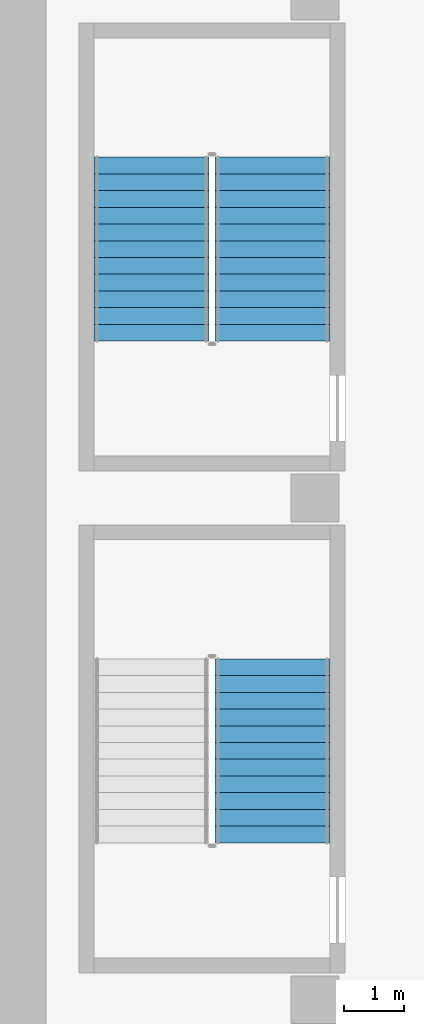
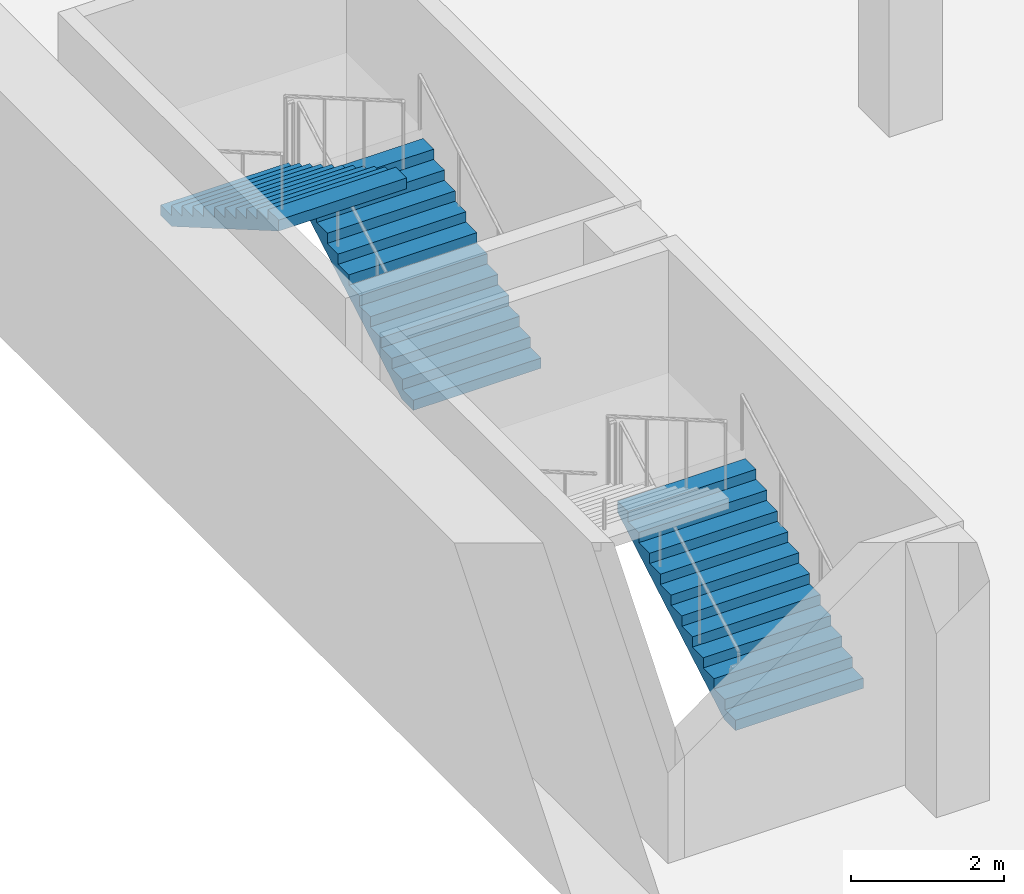
# One storey, part 16 of 25: 3 stair flights, 2 elements without a shape of their own.
"""IFC4 building model written with IfcOpenShell, lengths in metres."""

from ifc_helpers import new_model, si_unit, direction, frame, origin, place, context, subcontext, project, spatial, triangles, material, type_object, element, aggregate, save


model = new_model("IFC4")

# Units and contexts
model_context = context("Model", 3, precision=1e-05, world=origin(), true_north=direction((0.0, 1.0)))
body_context = subcontext(model_context, "Body", "Model", "MODEL_VIEW")
ifc_project = project(units=[si_unit("LENGTHUNIT", "METRE"), si_unit("AREAUNIT", "SQUARE_METRE"), si_unit("VOLUMEUNIT", "CUBIC_METRE"), si_unit("PLANEANGLEUNIT", "RADIAN"), si_unit("MASSUNIT", "GRAM", prefix="KILO")], contexts=[model_context])

# Site, building, storey
site_placement = place(None, origin())
site = spatial("IfcSite", under=ifc_project, at=site_placement, CompositionType="ELEMENT")
building_placement = place(site_placement, origin())
building = spatial("IfcBuilding", under=site, at=building_placement, Name="Verdalira Terraces Hotel", CompositionType="ELEMENT")
storey_placement = place(building_placement, frame((0.0, 0.0, -7.800049)))
storey = spatial("IfcBuildingStorey", under=building, at=storey_placement, Name="B2", CompositionType="ELEMENT", Elevation=-7.800048828125)

# Stair, stair flights
ifc_material_1 = material(Name="Concrete C40", Category="concrete")
stair_type = type_object("IfcStairType", Name="Car park stair 24 risers", PredefinedType="HALF_TURN_STAIR", material=ifc_material_1)
stair_1_placement = place(storey_placement, origin())
stair_1 = element("IfcStair", 1, at=stair_1_placement, inside=storey, type_object=stair_type, Name="B2 Exit stair Basement stair 4", PredefinedType="HALF_TURN_STAIR")
ifc_material_2 = material(Name="Concrete C40", Category="concrete")
stair_flight_type = type_object("IfcStairFlightType", Name="Car park stair flight 24 risers", PredefinedType="STRAIGHT", material=ifc_material_2)
stair_flight_1_placement = place(storey_placement, frame((-49.212402, 27.824951, 0.0), z_axis=(0.0, 0.0, 1.0), x_axis=(0.0, 1.0, 0.0)))
stair_flight_1 = element("IfcStairFlight", 2, at=stair_flight_1_placement, type_object=stair_flight_type, Name="Basement stair 4 flight 1", NumberOfRisers=12, NumberOfTreads=11, PredefinedType="STRAIGHT", RiserHeight=0.1625, TreadLength=0.28, context=body_context, shape_type="Tessellation", body=[
    triangles([(0.0, 0.962524, 0.0), (0.298584, 0.962524, 0.0), (3.080078, 0.962524, 1.614258), (0.0, -0.962524, 0.0), (0.298584, -0.962524, 0.0), (3.080078, -0.962524, 1.614258), (3.080078, 0.962524, 1.787598), (2.800049, 0.962524, 1.787598), (3.080078, -0.962524, 1.787598), (2.800049, -0.962524, 1.787598), (2.800049, 0.962524, 1.625), (2.800049, -0.962524, 1.625), (2.52002, 0.962524, 1.625), (2.52002, -0.962524, 1.625), (2.52002, 0.962524, 1.462402), (2.52002, -0.962524, 1.462402), (2.23999, 0.962524, 1.462402), (2.23999, 0.962524, 1.300049), (2.23999, -0.962524, 1.462402), (2.23999, -0.962524, 1.300049), (1.959961, 0.962524, 1.300049), (1.959961, 0.962524, 1.137451), (1.959961, -0.962524, 1.300049), (1.959961, -0.962524, 1.137451), (1.679932, 0.962524, 1.137451), (1.679932, 0.962524, 0.975098), (1.679932, -0.962524, 1.137451), (1.679932, -0.962524, 0.975098), (1.399902, 0.962524, 0.975098), (1.399902, 0.962524, 0.8125), (1.399902, -0.962524, 0.975098), (1.399902, -0.962524, 0.8125), (1.120117, 0.962524, 0.8125), (1.120117, 0.962524, 0.649902), (1.120117, -0.962524, 0.8125), (1.120117, -0.962524, 0.649902), (0.840088, 0.962524, 0.649902), (0.840088, 0.962524, 0.487549), (0.840088, -0.962524, 0.649902), (0.840088, -0.962524, 0.487549), (0.560059, 0.962524, 0.487549), (0.560059, 0.962524, 0.324951), (0.560059, -0.962524, 0.487549), (0.560059, -0.962524, 0.324951), (0.280029, 0.962524, 0.324951), (0.280029, 0.962524, 0.162598), (0.280029, -0.962524, 0.324951), (0.280029, -0.962524, 0.162598), (0.0, 0.962524, 0.162598), (0.0, -0.962524, 0.162598), (0.0, -0.902367, 0.0), (0.0, -0.902367, 0.162598), (0.0, -0.842209, 0.0), (0.0, -0.842209, 0.162598), (0.0, -0.782051, 0.0), (0.0, -0.782051, 0.162598), (0.0, -0.721893, 0.0), (0.0, -0.721893, 0.162598), (0.0, -0.661736, 0.0), (0.0, -0.661736, 0.162598), (0.0, -0.601578, 0.0), (0.0, -0.601578, 0.162598), (0.0, -0.54142, 0.0), (0.0, -0.54142, 0.162598), (0.0, -0.481262, 0.0), (0.0, -0.481262, 0.162598), (0.0, -0.421104, 0.0), (0.0, -0.421104, 0.162598), (0.0, -0.360947, 0.0), (0.0, -0.360947, 0.162598), (0.0, -0.300789, 0.0), (0.0, -0.300789, 0.162598), (0.0, -0.240631, 0.0), (0.0, -0.240631, 0.162598), (0.0, -0.180473, 0.0), (0.0, -0.180473, 0.162598), (0.0, -0.120316, 0.0), (0.0, -0.120316, 0.162598), (0.0, -0.060158, 0.0), (0.0, -0.060158, 0.162598), (0.0, 0.0, 0.0), (0.0, 0.0, 0.162598), (0.0, 0.060158, 0.0), (0.0, 0.060158, 0.162598), (0.0, 0.120316, 0.0), (0.0, 0.120316, 0.162598), (0.0, 0.180473, 0.0), (0.0, 0.180473, 0.162598), (0.0, 0.240631, 0.0), (0.0, 0.240631, 0.162598), (0.0, 0.300789, 0.0), (0.0, 0.300789, 0.162598), (0.0, 0.360947, 0.0), (0.0, 0.360947, 0.162598), (0.0, 0.421104, 0.0), (0.0, 0.421104, 0.162598), (0.0, 0.481262, 0.0), (0.0, 0.481262, 0.162598), (0.0, 0.54142, 0.0), (0.0, 0.54142, 0.162598), (0.0, 0.601578, 0.0), (0.0, 0.601578, 0.162598), (0.0, 0.661736, 0.0), (0.0, 0.661736, 0.162598), (0.0, 0.721893, 0.0), (0.0, 0.721893, 0.162598), (0.0, 0.782051, 0.0), (0.0, 0.782051, 0.162598), (0.0, 0.842209, 0.0), (0.0, 0.842209, 0.162598), (0.0, 0.902367, 0.0), (0.0, 0.902367, 0.162598), (3.080078, -0.902367, 1.787598), (3.080078, -0.842209, 1.787598), (3.080078, -0.782051, 1.787598), (3.080078, -0.721893, 1.787598), (3.080078, -0.661736, 1.787598), (3.080078, -0.601578, 1.787598), (3.080078, -0.54142, 1.787598), (3.080078, -0.481262, 1.787598), (3.080078, -0.421104, 1.787598), (3.080078, -0.360947, 1.787598), (3.080078, -0.300789, 1.787598), (3.080078, -0.240631, 1.787598), (3.080078, -0.180473, 1.787598), (3.080078, -0.120316, 1.787598), (3.080078, -0.060158, 1.787598), (3.080078, 0.0, 1.787598), (3.080078, 0.060158, 1.787598), (3.080078, 0.120316, 1.787598), (3.080078, 0.180473, 1.787598), (3.080078, 0.240631, 1.787598), (3.080078, 0.300789, 1.787598), (3.080078, 0.360947, 1.787598), (3.080078, 0.421104, 1.787598), (3.080078, 0.481262, 1.787598), (3.080078, 0.54142, 1.787598), (3.080078, 0.601578, 1.787598), (3.080078, 0.661736, 1.787598), (3.080078, 0.721893, 1.787598), (3.080078, 0.782051, 1.787598), (3.080078, 0.842209, 1.787598), (3.080078, 0.902367, 1.787598), (3.080078, -0.902367, 1.614258), (3.080078, -0.842209, 1.614258), (3.080078, -0.782051, 1.614258), (3.080078, -0.721893, 1.614258), (3.080078, -0.661736, 1.614258), (3.080078, -0.601578, 1.614258), (3.080078, -0.54142, 1.614258), (3.080078, -0.481262, 1.614258), (3.080078, -0.421104, 1.614258), (3.080078, -0.360947, 1.614258), (3.080078, -0.300789, 1.614258), (3.080078, -0.240631, 1.614258), (3.080078, -0.180473, 1.614258), (3.080078, -0.120316, 1.614258), (3.080078, -0.060158, 1.614258), (3.080078, 0.0, 1.614258), (3.080078, 0.060158, 1.614258), (3.080078, 0.120316, 1.614258), (3.080078, 0.180473, 1.614258), (3.080078, 0.240631, 1.614258), (3.080078, 0.300789, 1.614258), (3.080078, 0.360947, 1.614258), (3.080078, 0.421104, 1.614258), (3.080078, 0.481262, 1.614258), (3.080078, 0.54142, 1.614258), (3.080078, 0.601578, 1.614258), (3.080078, 0.661736, 1.614258), (3.080078, 0.721893, 1.614258), (3.080078, 0.782051, 1.614258), (3.080078, 0.842209, 1.614258), (3.080078, 0.902367, 1.614258)], [[1, 3, 2], [4, 5, 6], [3, 8, 7], [6, 9, 10], [3, 11, 8], [6, 10, 12], [3, 13, 11], [6, 12, 14], [3, 15, 13], [6, 14, 16], [15, 18, 17], [16, 19, 20], [3, 18, 15], [6, 16, 20], [18, 22, 21], [20, 23, 24], [3, 22, 18], [6, 20, 24], [22, 26, 25], [24, 27, 28], [3, 26, 22], [6, 24, 28], [26, 30, 29], [28, 31, 32], [3, 30, 26], [6, 28, 32], [30, 34, 33], [32, 35, 36], [3, 34, 30], [6, 32, 36], [34, 38, 37], [36, 39, 40], [3, 38, 34], [6, 36, 40], [38, 42, 41], [40, 43, 44], [3, 42, 38], [6, 40, 44], [1, 42, 3], [4, 6, 44], [42, 46, 45], [44, 47, 48], [1, 46, 42], [4, 44, 48], [46, 1, 49], [48, 50, 4], [4, 52, 51], [4, 50, 52], [51, 54, 53], [51, 52, 54], [53, 56, 55], [53, 54, 56], [55, 58, 57], [55, 56, 58], [57, 60, 59], [57, 58, 60], [59, 62, 61], [59, 60, 62], [61, 64, 63], [61, 62, 64], [63, 66, 65], [63, 64, 66], [65, 68, 67], [65, 66, 68], [67, 70, 69], [67, 68, 70], [69, 72, 71], [69, 70, 72], [71, 74, 73], [71, 72, 74], [73, 76, 75], [73, 74, 76], [75, 78, 77], [75, 76, 78], [77, 80, 79], [77, 78, 80], [79, 82, 81], [79, 80, 82], [81, 84, 83], [81, 82, 84], [83, 86, 85], [83, 84, 86], [85, 88, 87], [85, 86, 88], [87, 90, 89], [87, 88, 90], [89, 92, 91], [89, 90, 92], [91, 94, 93], [91, 92, 94], [93, 96, 95], [93, 94, 96], [95, 98, 97], [95, 96, 98], [97, 100, 99], [97, 98, 100], [99, 102, 101], [99, 100, 102], [101, 104, 103], [101, 102, 104], [103, 106, 105], [103, 104, 106], [105, 108, 107], [105, 106, 108], [107, 110, 109], [107, 108, 110], [109, 112, 111], [109, 110, 112], [111, 49, 1], [111, 112, 49], [50, 48, 52], [52, 48, 54], [54, 48, 56], [56, 48, 58], [58, 48, 60], [60, 48, 62], [62, 48, 64], [64, 48, 66], [66, 48, 68], [68, 48, 70], [70, 48, 72], [72, 48, 74], [74, 48, 76], [76, 48, 78], [78, 48, 80], [80, 48, 82], [82, 48, 84], [84, 48, 86], [86, 48, 88], [88, 48, 90], [90, 48, 92], [92, 48, 94], [94, 48, 96], [96, 48, 98], [98, 48, 100], [100, 48, 102], [102, 48, 104], [104, 48, 106], [106, 48, 108], [108, 48, 110], [110, 48, 112], [112, 48, 49], [49, 48, 46], [48, 45, 46], [48, 47, 45], [47, 42, 45], [47, 44, 42], [44, 41, 42], [44, 43, 41], [43, 38, 41], [43, 40, 38], [40, 37, 38], [40, 39, 37], [39, 34, 37], [39, 36, 34], [36, 33, 34], [36, 35, 33], [35, 30, 33], [35, 32, 30], [32, 29, 30], [32, 31, 29], [31, 26, 29], [31, 28, 26], [28, 25, 26], [28, 27, 25], [27, 22, 25], [27, 24, 22], [24, 21, 22], [24, 23, 21], [23, 18, 21], [23, 20, 18], [20, 17, 18], [20, 19, 17], [19, 15, 17], [19, 16, 15], [16, 13, 15], [16, 14, 13], [14, 11, 13], [14, 12, 11], [12, 8, 11], [12, 10, 8], [9, 113, 10], [113, 114, 10], [114, 115, 10], [115, 116, 10], [116, 117, 10], [117, 118, 10], [118, 119, 10], [119, 120, 10], [120, 121, 10], [121, 122, 10], [122, 123, 10], [123, 124, 10], [124, 125, 10], [125, 126, 10], [126, 127, 10], [127, 128, 10], [128, 129, 10], [129, 130, 10], [130, 131, 10], [131, 132, 10], [132, 133, 10], [133, 134, 10], [134, 135, 10], [135, 136, 10], [136, 137, 10], [137, 138, 10], [138, 139, 10], [139, 140, 10], [140, 141, 10], [141, 142, 10], [142, 143, 10], [143, 7, 10], [7, 8, 10], [9, 144, 113], [9, 6, 144], [113, 145, 114], [113, 144, 145], [114, 146, 115], [114, 145, 146], [115, 147, 116], [115, 146, 147], [116, 148, 117], [116, 147, 148], [117, 149, 118], [117, 148, 149], [118, 150, 119], [118, 149, 150], [119, 151, 120], [119, 150, 151], [120, 152, 121], [120, 151, 152], [121, 153, 122], [121, 152, 153], [122, 154, 123], [122, 153, 154], [123, 155, 124], [123, 154, 155], [124, 156, 125], [124, 155, 156], [125, 157, 126], [125, 156, 157], [126, 158, 127], [126, 157, 158], [127, 159, 128], [127, 158, 159], [128, 160, 129], [128, 159, 160], [129, 161, 130], [129, 160, 161], [130, 162, 131], [130, 161, 162], [131, 163, 132], [131, 162, 163], [132, 164, 133], [132, 163, 164], [133, 165, 134], [133, 164, 165], [134, 166, 135], [134, 165, 166], [135, 167, 136], [135, 166, 167], [136, 168, 137], [136, 167, 168], [137, 169, 138], [137, 168, 169], [138, 170, 139], [138, 169, 170], [139, 171, 140], [139, 170, 171], [140, 172, 141], [140, 171, 172], [141, 173, 142], [141, 172, 173], [142, 174, 143], [142, 173, 174], [143, 3, 7], [143, 174, 3], [6, 5, 144], [144, 5, 145], [145, 5, 146], [146, 5, 147], [147, 5, 148], [148, 5, 149], [149, 5, 150], [150, 5, 151], [151, 5, 152], [152, 5, 153], [153, 5, 154], [154, 5, 155], [155, 5, 156], [156, 5, 157], [157, 5, 158], [158, 5, 159], [159, 5, 160], [160, 5, 161], [161, 5, 162], [162, 5, 163], [163, 5, 164], [164, 5, 165], [165, 5, 166], [166, 5, 167], [167, 5, 168], [168, 5, 169], [169, 5, 170], [170, 5, 171], [171, 5, 172], [172, 5, 173], [173, 5, 174], [174, 5, 3], [3, 5, 2], [4, 51, 5], [51, 53, 5], [53, 55, 5], [55, 57, 5], [57, 59, 5], [59, 61, 5], [61, 63, 5], [63, 65, 5], [65, 67, 5], [67, 69, 5], [69, 71, 5], [71, 73, 5], [73, 75, 5], [75, 77, 5], [77, 79, 5], [79, 81, 5], [81, 83, 5], [83, 85, 5], [85, 87, 5], [87, 89, 5], [89, 91, 5], [91, 93, 5], [93, 95, 5], [95, 97, 5], [97, 99, 5], [99, 101, 5], [101, 103, 5], [103, 105, 5], [105, 107, 5], [107, 109, 5], [109, 111, 5], [111, 1, 5], [1, 2, 5]], closed=True),
])
stair_flight_2_placement = place(storey_placement, frame((-51.237549, 30.905029, 1.949951), z_axis=(0.0, 0.0, 1.0), x_axis=(0.0, -1.0, 0.0)))
stair_flight_2 = element("IfcStairFlight", 3, at=stair_flight_2_placement, type_object=stair_flight_type, Name="Basement stair 4 flight 2", NumberOfRisers=12, NumberOfTreads=11, PredefinedType="STRAIGHT", RiserHeight=0.1625, TreadLength=0.28, context=body_context, shape_type="Tessellation", body=[
    triangles([(0.0, 0.962524, 0.0), (0.298584, 0.962524, 0.0), (3.080078, 0.962524, 1.614258), (0.0, -0.962524, 0.0), (0.298584, -0.962524, 0.0), (3.080078, -0.962524, 1.614258), (3.080078, 0.962524, 1.787598), (2.800049, 0.962524, 1.787598), (3.080078, -0.962524, 1.787598), (2.800049, -0.962524, 1.787598), (2.800049, 0.962524, 1.625), (2.800049, -0.962524, 1.625), (2.52002, 0.962524, 1.625), (2.52002, -0.962524, 1.625), (2.52002, 0.962524, 1.462402), (2.52002, -0.962524, 1.462402), (2.23999, 0.962524, 1.462402), (2.23999, 0.962524, 1.300049), (2.23999, -0.962524, 1.462402), (2.23999, -0.962524, 1.300049), (1.959961, 0.962524, 1.300049), (1.959961, 0.962524, 1.137451), (1.959961, -0.962524, 1.300049), (1.959961, -0.962524, 1.137451), (1.679932, 0.962524, 1.137451), (1.679932, 0.962524, 0.975098), (1.679932, -0.962524, 1.137451), (1.679932, -0.962524, 0.975098), (1.399902, 0.962524, 0.975098), (1.399902, 0.962524, 0.8125), (1.399902, -0.962524, 0.975098), (1.399902, -0.962524, 0.8125), (1.120117, 0.962524, 0.8125), (1.120117, 0.962524, 0.649902), (1.120117, -0.962524, 0.8125), (1.120117, -0.962524, 0.649902), (0.840088, 0.962524, 0.649902), (0.840088, 0.962524, 0.487549), (0.840088, -0.962524, 0.649902), (0.840088, -0.962524, 0.487549), (0.560059, 0.962524, 0.487549), (0.560059, 0.962524, 0.324951), (0.560059, -0.962524, 0.487549), (0.560059, -0.962524, 0.324951), (0.280029, 0.962524, 0.324951), (0.280029, 0.962524, 0.162598), (0.280029, -0.962524, 0.324951), (0.280029, -0.962524, 0.162598), (0.0, 0.962524, 0.162598), (0.0, -0.962524, 0.162598), (0.0, -0.902367, 0.0), (0.0, -0.902367, 0.162598), (0.0, -0.842209, 0.0), (0.0, -0.842209, 0.162598), (0.0, -0.782051, 0.0), (0.0, -0.782051, 0.162598), (0.0, -0.721893, 0.0), (0.0, -0.721893, 0.162598), (0.0, -0.661736, 0.0), (0.0, -0.661736, 0.162598), (0.0, -0.601578, 0.0), (0.0, -0.601578, 0.162598), (0.0, -0.54142, 0.0), (0.0, -0.54142, 0.162598), (0.0, -0.481262, 0.0), (0.0, -0.481262, 0.162598), (0.0, -0.421104, 0.0), (0.0, -0.421104, 0.162598), (0.0, -0.360947, 0.0), (0.0, -0.360947, 0.162598), (0.0, -0.300789, 0.0), (0.0, -0.300789, 0.162598), (0.0, -0.240631, 0.0), (0.0, -0.240631, 0.162598), (0.0, -0.180473, 0.0), (0.0, -0.180473, 0.162598), (0.0, -0.120316, 0.0), (0.0, -0.120316, 0.162598), (0.0, -0.060158, 0.0), (0.0, -0.060158, 0.162598), (0.0, 0.0, 0.0), (0.0, 0.0, 0.162598), (0.0, 0.060158, 0.0), (0.0, 0.060158, 0.162598), (0.0, 0.120316, 0.0), (0.0, 0.120316, 0.162598), (0.0, 0.180473, 0.0), (0.0, 0.180473, 0.162598), (0.0, 0.240631, 0.0), (0.0, 0.240631, 0.162598), (0.0, 0.300789, 0.0), (0.0, 0.300789, 0.162598), (0.0, 0.360947, 0.0), (0.0, 0.360947, 0.162598), (0.0, 0.421104, 0.0), (0.0, 0.421104, 0.162598), (0.0, 0.481262, 0.0), (0.0, 0.481262, 0.162598), (0.0, 0.54142, 0.0), (0.0, 0.54142, 0.162598), (0.0, 0.601578, 0.0), (0.0, 0.601578, 0.162598), (0.0, 0.661736, 0.0), (0.0, 0.661736, 0.162598), (0.0, 0.721893, 0.0), (0.0, 0.721893, 0.162598), (0.0, 0.782051, 0.0), (0.0, 0.782051, 0.162598), (0.0, 0.842209, 0.0), (0.0, 0.842209, 0.162598), (0.0, 0.902367, 0.0), (0.0, 0.902367, 0.162598), (3.080078, -0.902367, 1.787598), (3.080078, -0.842209, 1.787598), (3.080078, -0.782051, 1.787598), (3.080078, -0.721893, 1.787598), (3.080078, -0.661736, 1.787598), (3.080078, -0.601578, 1.787598), (3.080078, -0.54142, 1.787598), (3.080078, -0.481262, 1.787598), (3.080078, -0.421104, 1.787598), (3.080078, -0.360947, 1.787598), (3.080078, -0.300789, 1.787598), (3.080078, -0.240631, 1.787598), (3.080078, -0.180473, 1.787598), (3.080078, -0.120316, 1.787598), (3.080078, -0.060158, 1.787598), (3.080078, 0.0, 1.787598), (3.080078, 0.060158, 1.787598), (3.080078, 0.120316, 1.787598), (3.080078, 0.180473, 1.787598), (3.080078, 0.240631, 1.787598), (3.080078, 0.300789, 1.787598), (3.080078, 0.360947, 1.787598), (3.080078, 0.421104, 1.787598), (3.080078, 0.481262, 1.787598), (3.080078, 0.54142, 1.787598), (3.080078, 0.601578, 1.787598), (3.080078, 0.661736, 1.787598), (3.080078, 0.721893, 1.787598), (3.080078, 0.782051, 1.787598), (3.080078, 0.842209, 1.787598), (3.080078, 0.902367, 1.787598), (3.080078, -0.902367, 1.614258), (3.080078, -0.842209, 1.614258), (3.080078, -0.782051, 1.614258), (3.080078, -0.721893, 1.614258), (3.080078, -0.661736, 1.614258), (3.080078, -0.601578, 1.614258), (3.080078, -0.54142, 1.614258), (3.080078, -0.481262, 1.614258), (3.080078, -0.421104, 1.614258), (3.080078, -0.360947, 1.614258), (3.080078, -0.300789, 1.614258), (3.080078, -0.240631, 1.614258), (3.080078, -0.180473, 1.614258), (3.080078, -0.120316, 1.614258), (3.080078, -0.060158, 1.614258), (3.080078, 0.0, 1.614258), (3.080078, 0.060158, 1.614258), (3.080078, 0.120316, 1.614258), (3.080078, 0.180473, 1.614258), (3.080078, 0.240631, 1.614258), (3.080078, 0.300789, 1.614258), (3.080078, 0.360947, 1.614258), (3.080078, 0.421104, 1.614258), (3.080078, 0.481262, 1.614258), (3.080078, 0.54142, 1.614258), (3.080078, 0.601578, 1.614258), (3.080078, 0.661736, 1.614258), (3.080078, 0.721893, 1.614258), (3.080078, 0.782051, 1.614258), (3.080078, 0.842209, 1.614258), (3.080078, 0.902367, 1.614258)], [[1, 3, 2], [4, 5, 6], [3, 8, 7], [6, 9, 10], [3, 11, 8], [6, 10, 12], [3, 13, 11], [6, 12, 14], [3, 15, 13], [6, 14, 16], [15, 18, 17], [16, 19, 20], [3, 18, 15], [6, 16, 20], [18, 22, 21], [20, 23, 24], [3, 22, 18], [6, 20, 24], [22, 26, 25], [24, 27, 28], [3, 26, 22], [6, 24, 28], [26, 30, 29], [28, 31, 32], [3, 30, 26], [6, 28, 32], [30, 34, 33], [32, 35, 36], [3, 34, 30], [6, 32, 36], [34, 38, 37], [36, 39, 40], [3, 38, 34], [6, 36, 40], [38, 42, 41], [40, 43, 44], [3, 42, 38], [6, 40, 44], [1, 42, 3], [4, 6, 44], [42, 46, 45], [44, 47, 48], [1, 46, 42], [4, 44, 48], [46, 1, 49], [48, 50, 4], [4, 52, 51], [4, 50, 52], [51, 54, 53], [51, 52, 54], [53, 56, 55], [53, 54, 56], [55, 58, 57], [55, 56, 58], [57, 60, 59], [57, 58, 60], [59, 62, 61], [59, 60, 62], [61, 64, 63], [61, 62, 64], [63, 66, 65], [63, 64, 66], [65, 68, 67], [65, 66, 68], [67, 70, 69], [67, 68, 70], [69, 72, 71], [69, 70, 72], [71, 74, 73], [71, 72, 74], [73, 76, 75], [73, 74, 76], [75, 78, 77], [75, 76, 78], [77, 80, 79], [77, 78, 80], [79, 82, 81], [79, 80, 82], [81, 84, 83], [81, 82, 84], [83, 86, 85], [83, 84, 86], [85, 88, 87], [85, 86, 88], [87, 90, 89], [87, 88, 90], [89, 92, 91], [89, 90, 92], [91, 94, 93], [91, 92, 94], [93, 96, 95], [93, 94, 96], [95, 98, 97], [95, 96, 98], [97, 100, 99], [97, 98, 100], [99, 102, 101], [99, 100, 102], [101, 104, 103], [101, 102, 104], [103, 106, 105], [103, 104, 106], [105, 108, 107], [105, 106, 108], [107, 110, 109], [107, 108, 110], [109, 112, 111], [109, 110, 112], [111, 49, 1], [111, 112, 49], [50, 48, 52], [52, 48, 54], [54, 48, 56], [56, 48, 58], [58, 48, 60], [60, 48, 62], [62, 48, 64], [64, 48, 66], [66, 48, 68], [68, 48, 70], [70, 48, 72], [72, 48, 74], [74, 48, 76], [76, 48, 78], [78, 48, 80], [80, 48, 82], [82, 48, 84], [84, 48, 86], [86, 48, 88], [88, 48, 90], [90, 48, 92], [92, 48, 94], [94, 48, 96], [96, 48, 98], [98, 48, 100], [100, 48, 102], [102, 48, 104], [104, 48, 106], [106, 48, 108], [108, 48, 110], [110, 48, 112], [112, 48, 49], [49, 48, 46], [48, 45, 46], [48, 47, 45], [47, 42, 45], [47, 44, 42], [44, 41, 42], [44, 43, 41], [43, 38, 41], [43, 40, 38], [40, 37, 38], [40, 39, 37], [39, 34, 37], [39, 36, 34], [36, 33, 34], [36, 35, 33], [35, 30, 33], [35, 32, 30], [32, 29, 30], [32, 31, 29], [31, 26, 29], [31, 28, 26], [28, 25, 26], [28, 27, 25], [27, 22, 25], [27, 24, 22], [24, 21, 22], [24, 23, 21], [23, 18, 21], [23, 20, 18], [20, 17, 18], [20, 19, 17], [19, 15, 17], [19, 16, 15], [16, 13, 15], [16, 14, 13], [14, 11, 13], [14, 12, 11], [12, 8, 11], [12, 10, 8], [9, 113, 10], [113, 114, 10], [114, 115, 10], [115, 116, 10], [116, 117, 10], [117, 118, 10], [118, 119, 10], [119, 120, 10], [120, 121, 10], [121, 122, 10], [122, 123, 10], [123, 124, 10], [124, 125, 10], [125, 126, 10], [126, 127, 10], [127, 128, 10], [128, 129, 10], [129, 130, 10], [130, 131, 10], [131, 132, 10], [132, 133, 10], [133, 134, 10], [134, 135, 10], [135, 136, 10], [136, 137, 10], [137, 138, 10], [138, 139, 10], [139, 140, 10], [140, 141, 10], [141, 142, 10], [142, 143, 10], [143, 7, 10], [7, 8, 10], [9, 144, 113], [9, 6, 144], [113, 145, 114], [113, 144, 145], [114, 146, 115], [114, 145, 146], [115, 147, 116], [115, 146, 147], [116, 148, 117], [116, 147, 148], [117, 149, 118], [117, 148, 149], [118, 150, 119], [118, 149, 150], [119, 151, 120], [119, 150, 151], [120, 152, 121], [120, 151, 152], [121, 153, 122], [121, 152, 153], [122, 154, 123], [122, 153, 154], [123, 155, 124], [123, 154, 155], [124, 156, 125], [124, 155, 156], [125, 157, 126], [125, 156, 157], [126, 158, 127], [126, 157, 158], [127, 159, 128], [127, 158, 159], [128, 160, 129], [128, 159, 160], [129, 161, 130], [129, 160, 161], [130, 162, 131], [130, 161, 162], [131, 163, 132], [131, 162, 163], [132, 164, 133], [132, 163, 164], [133, 165, 134], [133, 164, 165], [134, 166, 135], [134, 165, 166], [135, 167, 136], [135, 166, 167], [136, 168, 137], [136, 167, 168], [137, 169, 138], [137, 168, 169], [138, 170, 139], [138, 169, 170], [139, 171, 140], [139, 170, 171], [140, 172, 141], [140, 171, 172], [141, 173, 142], [141, 172, 173], [142, 174, 143], [142, 173, 174], [143, 3, 7], [143, 174, 3], [6, 5, 144], [144, 5, 145], [145, 5, 146], [146, 5, 147], [147, 5, 148], [148, 5, 149], [149, 5, 150], [150, 5, 151], [151, 5, 152], [152, 5, 153], [153, 5, 154], [154, 5, 155], [155, 5, 156], [156, 5, 157], [157, 5, 158], [158, 5, 159], [159, 5, 160], [160, 5, 161], [161, 5, 162], [162, 5, 163], [163, 5, 164], [164, 5, 165], [165, 5, 166], [166, 5, 167], [167, 5, 168], [168, 5, 169], [169, 5, 170], [170, 5, 171], [171, 5, 172], [172, 5, 173], [173, 5, 174], [174, 5, 3], [3, 5, 2], [4, 51, 5], [51, 53, 5], [53, 55, 5], [55, 57, 5], [57, 59, 5], [59, 61, 5], [61, 63, 5], [63, 65, 5], [65, 67, 5], [67, 69, 5], [69, 71, 5], [71, 73, 5], [73, 75, 5], [75, 77, 5], [77, 79, 5], [79, 81, 5], [81, 83, 5], [83, 85, 5], [85, 87, 5], [87, 89, 5], [89, 91, 5], [91, 93, 5], [93, 95, 5], [95, 97, 5], [97, 99, 5], [99, 101, 5], [101, 103, 5], [103, 105, 5], [105, 107, 5], [107, 109, 5], [109, 111, 5], [111, 1, 5], [1, 2, 5]], closed=True),
])
aggregate(stair_1, [stair_flight_1, stair_flight_2])

# Stair, stair flight
stair_2_placement = place(storey_placement, origin())
stair_2 = element("IfcStair", 4, at=stair_2_placement, inside=storey, type_object=stair_type, Name="B2 Exit stair Basement stair 7", PredefinedType="HALF_TURN_STAIR")
stair_flight_3_placement = place(storey_placement, frame((-49.212402, 19.425049, 0.0), z_axis=(0.0, 0.0, 1.0), x_axis=(0.0, 1.0, 0.0)))
stair_flight_3 = element("IfcStairFlight", 5, at=stair_flight_3_placement, type_object=stair_flight_type, Name="Basement stair 7 flight 1", NumberOfRisers=12, NumberOfTreads=11, PredefinedType="STRAIGHT", RiserHeight=0.1625, TreadLength=0.28, context=body_context, shape_type="Tessellation", body=[
    triangles([(0.0, 0.962524, 0.0), (0.298584, 0.962524, 0.0), (3.080078, 0.962524, 1.614258), (0.0, -0.962524, 0.0), (0.298584, -0.962524, 0.0), (3.080078, -0.962524, 1.614258), (3.080078, 0.962524, 1.787598), (2.800049, 0.962524, 1.787598), (3.080078, -0.962524, 1.787598), (2.800049, -0.962524, 1.787598), (2.800049, 0.962524, 1.625), (2.800049, -0.962524, 1.625), (2.52002, 0.962524, 1.625), (2.52002, -0.962524, 1.625), (2.52002, 0.962524, 1.462402), (2.52002, -0.962524, 1.462402), (2.23999, 0.962524, 1.462402), (2.23999, 0.962524, 1.300049), (2.23999, -0.962524, 1.462402), (2.23999, -0.962524, 1.300049), (1.959961, 0.962524, 1.300049), (1.959961, 0.962524, 1.137451), (1.959961, -0.962524, 1.300049), (1.959961, -0.962524, 1.137451), (1.679932, 0.962524, 1.137451), (1.679932, 0.962524, 0.975098), (1.679932, -0.962524, 1.137451), (1.679932, -0.962524, 0.975098), (1.399902, 0.962524, 0.975098), (1.399902, 0.962524, 0.8125), (1.399902, -0.962524, 0.975098), (1.399902, -0.962524, 0.8125), (1.120117, 0.962524, 0.8125), (1.120117, 0.962524, 0.649902), (1.120117, -0.962524, 0.8125), (1.120117, -0.962524, 0.649902), (0.840088, 0.962524, 0.649902), (0.840088, 0.962524, 0.487549), (0.840088, -0.962524, 0.649902), (0.840088, -0.962524, 0.487549), (0.560059, 0.962524, 0.487549), (0.560059, 0.962524, 0.324951), (0.560059, -0.962524, 0.487549), (0.560059, -0.962524, 0.324951), (0.280029, 0.962524, 0.324951), (0.280029, 0.962524, 0.162598), (0.280029, -0.962524, 0.324951), (0.280029, -0.962524, 0.162598), (0.0, 0.962524, 0.162598), (0.0, -0.962524, 0.162598), (0.0, -0.902367, 0.0), (0.0, -0.902367, 0.162598), (0.0, -0.842209, 0.0), (0.0, -0.842209, 0.162598), (0.0, -0.782051, 0.0), (0.0, -0.782051, 0.162598), (0.0, -0.721893, 0.0), (0.0, -0.721893, 0.162598), (0.0, -0.661736, 0.0), (0.0, -0.661736, 0.162598), (0.0, -0.601578, 0.0), (0.0, -0.601578, 0.162598), (0.0, -0.54142, 0.0), (0.0, -0.54142, 0.162598), (0.0, -0.481262, 0.0), (0.0, -0.481262, 0.162598), (0.0, -0.421104, 0.0), (0.0, -0.421104, 0.162598), (0.0, -0.360947, 0.0), (0.0, -0.360947, 0.162598), (0.0, -0.300789, 0.0), (0.0, -0.300789, 0.162598), (0.0, -0.240631, 0.0), (0.0, -0.240631, 0.162598), (0.0, -0.180473, 0.0), (0.0, -0.180473, 0.162598), (0.0, -0.120316, 0.0), (0.0, -0.120316, 0.162598), (0.0, -0.060158, 0.0), (0.0, -0.060158, 0.162598), (0.0, 0.0, 0.0), (0.0, 0.0, 0.162598), (0.0, 0.060158, 0.0), (0.0, 0.060158, 0.162598), (0.0, 0.120316, 0.0), (0.0, 0.120316, 0.162598), (0.0, 0.180473, 0.0), (0.0, 0.180473, 0.162598), (0.0, 0.240631, 0.0), (0.0, 0.240631, 0.162598), (0.0, 0.300789, 0.0), (0.0, 0.300789, 0.162598), (0.0, 0.360947, 0.0), (0.0, 0.360947, 0.162598), (0.0, 0.421104, 0.0), (0.0, 0.421104, 0.162598), (0.0, 0.481262, 0.0), (0.0, 0.481262, 0.162598), (0.0, 0.54142, 0.0), (0.0, 0.54142, 0.162598), (0.0, 0.601578, 0.0), (0.0, 0.601578, 0.162598), (0.0, 0.661736, 0.0), (0.0, 0.661736, 0.162598), (0.0, 0.721893, 0.0), (0.0, 0.721893, 0.162598), (0.0, 0.782051, 0.0), (0.0, 0.782051, 0.162598), (0.0, 0.842209, 0.0), (0.0, 0.842209, 0.162598), (0.0, 0.902367, 0.0), (0.0, 0.902367, 0.162598), (3.080078, -0.902367, 1.787598), (3.080078, -0.842209, 1.787598), (3.080078, -0.782051, 1.787598), (3.080078, -0.721893, 1.787598), (3.080078, -0.661736, 1.787598), (3.080078, -0.601578, 1.787598), (3.080078, -0.54142, 1.787598), (3.080078, -0.481262, 1.787598), (3.080078, -0.421104, 1.787598), (3.080078, -0.360947, 1.787598), (3.080078, -0.300789, 1.787598), (3.080078, -0.240631, 1.787598), (3.080078, -0.180473, 1.787598), (3.080078, -0.120316, 1.787598), (3.080078, -0.060158, 1.787598), (3.080078, 0.0, 1.787598), (3.080078, 0.060158, 1.787598), (3.080078, 0.120316, 1.787598), (3.080078, 0.180473, 1.787598), (3.080078, 0.240631, 1.787598), (3.080078, 0.300789, 1.787598), (3.080078, 0.360947, 1.787598), (3.080078, 0.421104, 1.787598), (3.080078, 0.481262, 1.787598), (3.080078, 0.54142, 1.787598), (3.080078, 0.601578, 1.787598), (3.080078, 0.661736, 1.787598), (3.080078, 0.721893, 1.787598), (3.080078, 0.782051, 1.787598), (3.080078, 0.842209, 1.787598), (3.080078, 0.902367, 1.787598), (3.080078, -0.902367, 1.614258), (3.080078, -0.842209, 1.614258), (3.080078, -0.782051, 1.614258), (3.080078, -0.721893, 1.614258), (3.080078, -0.661736, 1.614258), (3.080078, -0.601578, 1.614258), (3.080078, -0.54142, 1.614258), (3.080078, -0.481262, 1.614258), (3.080078, -0.421104, 1.614258), (3.080078, -0.360947, 1.614258), (3.080078, -0.300789, 1.614258), (3.080078, -0.240631, 1.614258), (3.080078, -0.180473, 1.614258), (3.080078, -0.120316, 1.614258), (3.080078, -0.060158, 1.614258), (3.080078, 0.0, 1.614258), (3.080078, 0.060158, 1.614258), (3.080078, 0.120316, 1.614258), (3.080078, 0.180473, 1.614258), (3.080078, 0.240631, 1.614258), (3.080078, 0.300789, 1.614258), (3.080078, 0.360947, 1.614258), (3.080078, 0.421104, 1.614258), (3.080078, 0.481262, 1.614258), (3.080078, 0.54142, 1.614258), (3.080078, 0.601578, 1.614258), (3.080078, 0.661736, 1.614258), (3.080078, 0.721893, 1.614258), (3.080078, 0.782051, 1.614258), (3.080078, 0.842209, 1.614258), (3.080078, 0.902367, 1.614258)], [[1, 3, 2], [4, 5, 6], [3, 8, 7], [6, 9, 10], [3, 11, 8], [6, 10, 12], [3, 13, 11], [6, 12, 14], [3, 15, 13], [6, 14, 16], [15, 18, 17], [16, 19, 20], [3, 18, 15], [6, 16, 20], [18, 22, 21], [20, 23, 24], [3, 22, 18], [6, 20, 24], [22, 26, 25], [24, 27, 28], [3, 26, 22], [6, 24, 28], [26, 30, 29], [28, 31, 32], [3, 30, 26], [6, 28, 32], [30, 34, 33], [32, 35, 36], [3, 34, 30], [6, 32, 36], [34, 38, 37], [36, 39, 40], [3, 38, 34], [6, 36, 40], [38, 42, 41], [40, 43, 44], [3, 42, 38], [6, 40, 44], [1, 42, 3], [4, 6, 44], [42, 46, 45], [44, 47, 48], [1, 46, 42], [4, 44, 48], [46, 1, 49], [48, 50, 4], [4, 52, 51], [4, 50, 52], [51, 54, 53], [51, 52, 54], [53, 56, 55], [53, 54, 56], [55, 58, 57], [55, 56, 58], [57, 60, 59], [57, 58, 60], [59, 62, 61], [59, 60, 62], [61, 64, 63], [61, 62, 64], [63, 66, 65], [63, 64, 66], [65, 68, 67], [65, 66, 68], [67, 70, 69], [67, 68, 70], [69, 72, 71], [69, 70, 72], [71, 74, 73], [71, 72, 74], [73, 76, 75], [73, 74, 76], [75, 78, 77], [75, 76, 78], [77, 80, 79], [77, 78, 80], [79, 82, 81], [79, 80, 82], [81, 84, 83], [81, 82, 84], [83, 86, 85], [83, 84, 86], [85, 88, 87], [85, 86, 88], [87, 90, 89], [87, 88, 90], [89, 92, 91], [89, 90, 92], [91, 94, 93], [91, 92, 94], [93, 96, 95], [93, 94, 96], [95, 98, 97], [95, 96, 98], [97, 100, 99], [97, 98, 100], [99, 102, 101], [99, 100, 102], [101, 104, 103], [101, 102, 104], [103, 106, 105], [103, 104, 106], [105, 108, 107], [105, 106, 108], [107, 110, 109], [107, 108, 110], [109, 112, 111], [109, 110, 112], [111, 49, 1], [111, 112, 49], [50, 48, 52], [52, 48, 54], [54, 48, 56], [56, 48, 58], [58, 48, 60], [60, 48, 62], [62, 48, 64], [64, 48, 66], [66, 48, 68], [68, 48, 70], [70, 48, 72], [72, 48, 74], [74, 48, 76], [76, 48, 78], [78, 48, 80], [80, 48, 82], [82, 48, 84], [84, 48, 86], [86, 48, 88], [88, 48, 90], [90, 48, 92], [92, 48, 94], [94, 48, 96], [96, 48, 98], [98, 48, 100], [100, 48, 102], [102, 48, 104], [104, 48, 106], [106, 48, 108], [108, 48, 110], [110, 48, 112], [112, 48, 49], [49, 48, 46], [48, 45, 46], [48, 47, 45], [47, 42, 45], [47, 44, 42], [44, 41, 42], [44, 43, 41], [43, 38, 41], [43, 40, 38], [40, 37, 38], [40, 39, 37], [39, 34, 37], [39, 36, 34], [36, 33, 34], [36, 35, 33], [35, 30, 33], [35, 32, 30], [32, 29, 30], [32, 31, 29], [31, 26, 29], [31, 28, 26], [28, 25, 26], [28, 27, 25], [27, 22, 25], [27, 24, 22], [24, 21, 22], [24, 23, 21], [23, 18, 21], [23, 20, 18], [20, 17, 18], [20, 19, 17], [19, 15, 17], [19, 16, 15], [16, 13, 15], [16, 14, 13], [14, 11, 13], [14, 12, 11], [12, 8, 11], [12, 10, 8], [9, 113, 10], [113, 114, 10], [114, 115, 10], [115, 116, 10], [116, 117, 10], [117, 118, 10], [118, 119, 10], [119, 120, 10], [120, 121, 10], [121, 122, 10], [122, 123, 10], [123, 124, 10], [124, 125, 10], [125, 126, 10], [126, 127, 10], [127, 128, 10], [128, 129, 10], [129, 130, 10], [130, 131, 10], [131, 132, 10], [132, 133, 10], [133, 134, 10], [134, 135, 10], [135, 136, 10], [136, 137, 10], [137, 138, 10], [138, 139, 10], [139, 140, 10], [140, 141, 10], [141, 142, 10], [142, 143, 10], [143, 7, 10], [7, 8, 10], [9, 144, 113], [9, 6, 144], [113, 145, 114], [113, 144, 145], [114, 146, 115], [114, 145, 146], [115, 147, 116], [115, 146, 147], [116, 148, 117], [116, 147, 148], [117, 149, 118], [117, 148, 149], [118, 150, 119], [118, 149, 150], [119, 151, 120], [119, 150, 151], [120, 152, 121], [120, 151, 152], [121, 153, 122], [121, 152, 153], [122, 154, 123], [122, 153, 154], [123, 155, 124], [123, 154, 155], [124, 156, 125], [124, 155, 156], [125, 157, 126], [125, 156, 157], [126, 158, 127], [126, 157, 158], [127, 159, 128], [127, 158, 159], [128, 160, 129], [128, 159, 160], [129, 161, 130], [129, 160, 161], [130, 162, 131], [130, 161, 162], [131, 163, 132], [131, 162, 163], [132, 164, 133], [132, 163, 164], [133, 165, 134], [133, 164, 165], [134, 166, 135], [134, 165, 166], [135, 167, 136], [135, 166, 167], [136, 168, 137], [136, 167, 168], [137, 169, 138], [137, 168, 169], [138, 170, 139], [138, 169, 170], [139, 171, 140], [139, 170, 171], [140, 172, 141], [140, 171, 172], [141, 173, 142], [141, 172, 173], [142, 174, 143], [142, 173, 174], [143, 3, 7], [143, 174, 3], [6, 5, 144], [144, 5, 145], [145, 5, 146], [146, 5, 147], [147, 5, 148], [148, 5, 149], [149, 5, 150], [150, 5, 151], [151, 5, 152], [152, 5, 153], [153, 5, 154], [154, 5, 155], [155, 5, 156], [156, 5, 157], [157, 5, 158], [158, 5, 159], [159, 5, 160], [160, 5, 161], [161, 5, 162], [162, 5, 163], [163, 5, 164], [164, 5, 165], [165, 5, 166], [166, 5, 167], [167, 5, 168], [168, 5, 169], [169, 5, 170], [170, 5, 171], [171, 5, 172], [172, 5, 173], [173, 5, 174], [174, 5, 3], [3, 5, 2], [4, 51, 5], [51, 53, 5], [53, 55, 5], [55, 57, 5], [57, 59, 5], [59, 61, 5], [61, 63, 5], [63, 65, 5], [65, 67, 5], [67, 69, 5], [69, 71, 5], [71, 73, 5], [73, 75, 5], [75, 77, 5], [77, 79, 5], [79, 81, 5], [81, 83, 5], [83, 85, 5], [85, 87, 5], [87, 89, 5], [89, 91, 5], [91, 93, 5], [93, 95, 5], [95, 97, 5], [97, 99, 5], [99, 101, 5], [101, 103, 5], [103, 105, 5], [105, 107, 5], [107, 109, 5], [109, 111, 5], [111, 1, 5], [1, 2, 5]], closed=True),
])
aggregate(stair_2, [stair_flight_3])

save(model, "model.ifc")
